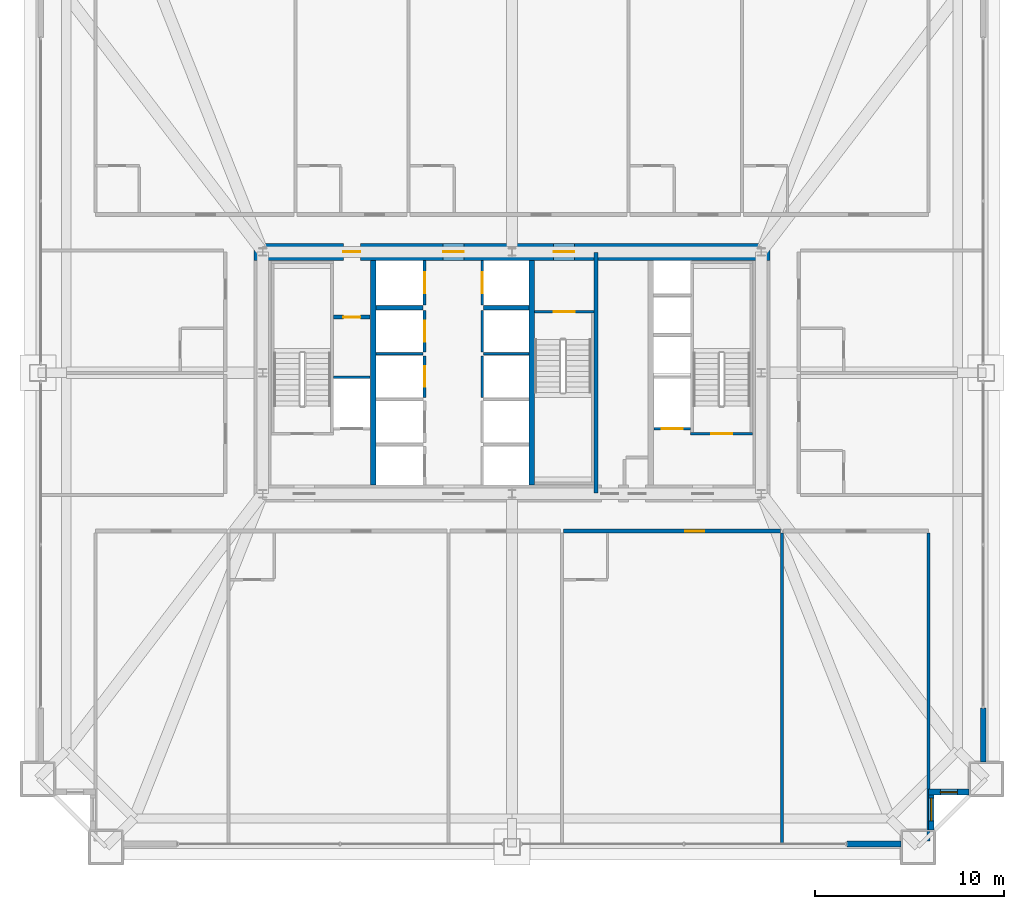
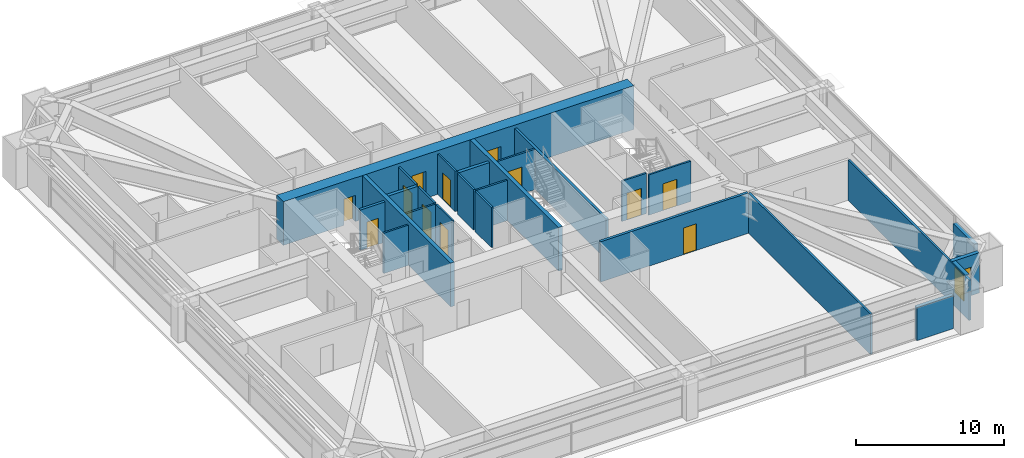
# One storey, part 41 of 44: 26 walls, 12 doors, 2 windows, 14 openings.
"""IFC4 building model written with IfcOpenShell, lengths in metres."""

from ifc_helpers import new_model, si_unit, direction, frame, frame_2d, origin, place, context, subcontext, project, spatial, rectangle, extrude, source, transform, mapped, material, layer, layer_set, type_object, element, fill, save


model = new_model("IFC4")

# Units and contexts
model_context = context("Model", 3, precision=1e-05, world=origin(), true_north=direction((0.0, 1.0)))
body_context = subcontext(model_context, "Body", "Model", "MODEL_VIEW")
ifc_project = project(units=[si_unit("LENGTHUNIT", "METRE"), si_unit("AREAUNIT", "SQUARE_METRE"), si_unit("VOLUMEUNIT", "CUBIC_METRE"), si_unit("PLANEANGLEUNIT", "RADIAN"), si_unit("MASSUNIT", "GRAM", prefix="KILO"), si_unit("THERMODYNAMICTEMPERATUREUNIT", "KELVIN"), si_unit("POWERUNIT", "WATT")], contexts=[model_context])

# Site, building, storey
site_placement = place(None, origin())
site = spatial("IfcSite", under=ifc_project, at=site_placement, CompositionType="ELEMENT")
building_placement = place(site_placement, origin())
building = spatial("IfcBuilding", under=site, at=building_placement, Name="Yuzanri Waterfront Tower", CompositionType="ELEMENT")
storey_placement = place(building_placement, frame((0.0, 0.0, 82.0)))
storey = spatial("IfcBuildingStorey", under=building, at=storey_placement, Name="L21", CompositionType="ELEMENT", Elevation=82.0)

# Wall, opening, window
ifc_material_1 = material(Name="Honed Chongqing Dark Basalt Stone", Category="masonry")
ifc_layer_1 = layer(ifc_material_1, 0.300048828125)
ifc_layer_set_1 = layer_set([ifc_layer_1], Name="Honed Chongqing Dark Basalt Stone")
wall_type_1 = type_object("IfcWallType", Name="Bronze Rainscreen Insulated Spandrel Portal Wall 300", PredefinedType="SOLIDWALL", material=ifc_layer_set_1)
wall_1_placement = place(storey_placement, frame((59.050048828125, 3.60009765625, 0.0), z_axis=(0.0, 0.0, 1.0), x_axis=(1.0, 0.0, 0.0)))
wall_1 = element("IfcWall", 1, at=wall_1_placement, inside=storey, type_object=wall_type_1, Name="L21 Notched Corner Masonry Wall SE-X", PredefinedType="SOLIDWALL", context=body_context, shape_type="SweptSolid", body=[
    extrude(rectangle(XDim=2.14990234375, YDim=0.300048828125, at=frame_2d((1.074951171875, 0.0))), origin(), (0.0, 0.0, 1.0), 3.320068359375),
])
opening_1_placement = place(wall_1_placement, frame((0.625, 0.0, 0.85009765625)))
opening_1 = element("IfcOpeningElement", 2, at=opening_1_placement, cuts=wall_1, Name="Opening WN-05", PredefinedType="OPENING", context=body_context, shape_type="SweptSolid", body=[
    extrude(rectangle(XDim=0.89990234375, YDim=1.5, at=frame_2d((0.449951171875, 0.75))), frame((0.0, 0.1650390625, 0.0), z_axis=(0.0, -1.0, 0.0), x_axis=(1.0, 0.0, 0.0)), (0.0, 0.0, 1.0), 0.329833984375),
])
ifc_material_2 = material(Name="Double-Silver Low-E Insulated Glass", Category="glass")
window_type_1 = type_object("IfcWindowType", Name="Anodized Bronze Service and Stairwell Smoke-Vent Window 900x1500", PartitioningType="SINGLE_PANEL", PredefinedType="WINDOW", material=ifc_material_2)
shared_shape_1 = source(origin(), body_context, "Body", "SweptSolid", [
    extrude(rectangle(XDim=0.89990234375, YDim=1.5, at=frame_2d((0.449951171875, 0.75))), frame((0.0, 0.030029296875, 0.0), z_axis=(0.0, -1.0, 0.0), x_axis=(1.0, 0.0, 0.0)), (0.0, 0.0, 1.0), 0.06005859375),
])
window_1_placement = place(opening_1_placement, origin())
window_1 = element("IfcWindow", 3, at=window_1_placement, inside=storey, type_object=window_type_1, Name="L21 Notched Corner Window SE-X", OverallHeight=1.5, OverallWidth=0.89990234375, PartitioningType="SINGLE_PANEL", PredefinedType="WINDOW", context=body_context, shape_type="MappedRepresentation", body=[
    mapped(shared_shape_1, transform((0.0, 0.0, 0.0), scale=1.0)),
])
fill(opening_1, window_1)

wall_2_placement = place(storey_placement, frame((59.199951171875, 1.60009765625, 0.0), z_axis=(0.0, 0.0, 1.0), x_axis=(0.0, 1.0, 0.0)))
wall_2 = element("IfcWall", 4, at=wall_2_placement, inside=storey, type_object=wall_type_1, Name="L21 Notched Corner Masonry Wall SE-Y", PredefinedType="SOLIDWALL", context=body_context, shape_type="SweptSolid", body=[
    extrude(rectangle(XDim=2.14990234375, YDim=0.300048828125, at=frame_2d((1.074951171875, 0.0))), origin(), (0.0, 0.0, 1.0), 3.320068359375),
])
opening_2_placement = place(wall_2_placement, frame((0.47509765625, 0.0, 0.85009765625)))
opening_2 = element("IfcOpeningElement", 5, at=opening_2_placement, cuts=wall_2, Name="Opening WN-02", PredefinedType="OPENING", context=body_context, shape_type="SweptSolid", body=[
    extrude(rectangle(XDim=1.199951171875, YDim=2.10009765625, at=frame_2d((0.60009765625, 1.050048828125))), frame((0.0, 0.1650390625, 0.0), z_axis=(0.0, -1.0, 0.0), x_axis=(1.0, 0.0, 0.0)), (0.0, 0.0, 1.0), 0.329833984375),
])
ifc_material_3 = material(Name="Double-Silver Low-E Insulated Glass", Category="glass")
window_type_2 = type_object("IfcWindowType", Name="Anodized Bronze Notched Corner Deep-Set Slot Window 1200x2100", PartitioningType="SINGLE_PANEL", PredefinedType="WINDOW", material=ifc_material_3)
shared_shape_2 = source(origin(), body_context, "Body", "SweptSolid", [
    extrude(rectangle(XDim=1.199951171875, YDim=2.10009765625, at=frame_2d((0.60009765625, 1.050048828125))), frame((0.0, 0.030029296875, 0.0), z_axis=(0.0, -1.0, 0.0), x_axis=(1.0, 0.0, 0.0)), (0.0, 0.0, 1.0), 0.06005859375),
])
window_2_placement = place(opening_2_placement, origin())
window_2 = element("IfcWindow", 6, at=window_2_placement, inside=storey, type_object=window_type_2, Name="L21 Notched Corner Window SE-Y", OverallHeight=2.10009765625, OverallWidth=1.199951171875, PartitioningType="SINGLE_PANEL", PredefinedType="WINDOW", context=body_context, shape_type="MappedRepresentation", body=[
    mapped(shared_shape_2, transform((0.0, 0.0, 0.0), scale=1.0)),
])
fill(opening_2, window_2)

# Wall, openings, doors
ifc_material_4 = material(Name="Concrete C60", Category="concrete")
ifc_layer_2 = layer(ifc_material_4, 0.89990234375)
ifc_layer_set_2 = layer_set([ifc_layer_2], Name="Concrete C60")
wall_type_2 = type_object("IfcWallType", Name="Concrete C60 Lower Zone Core Shear Wall 900", PredefinedType="SHEAR", material=ifc_layer_set_2)
wall_3_placement = place(storey_placement, frame((23.35009765625, 32.199951171875, 0.0), z_axis=(0.0, 0.0, 1.0), x_axis=(1.0, 0.0, 0.0)))
wall_3 = element("IfcWall", 7, at=wall_3_placement, inside=storey, type_object=wall_type_2, Name="L21 Core North Shear Wall", PredefinedType="SHEAR", context=body_context, shape_type="SweptSolid", body=[
    extrude(rectangle(XDim=27.2998046875, YDim=0.89990234375, at=frame_2d((13.64990234375, 0.0))), origin(), (0.0, 0.0, 1.0), 3.60009765625),
])
opening_3_placement = place(wall_3_placement, frame((4.719970703125, 0.0, 0.0)))
opening_3 = element("IfcOpeningElement", 8, at=opening_3_placement, cuts=wall_3, Name="Opening FD-0900", PredefinedType="OPENING", context=body_context, shape_type="SweptSolid", body=[
    extrude(rectangle(XDim=0.89990234375, YDim=2.14990234375, at=frame_2d((0.449951171875, 1.074951171875))), frame((0.0, 0.46484375, 0.0), z_axis=(0.0, -1.0, 0.0), x_axis=(1.0, 0.0, 0.0)), (0.0, 0.0, 1.0), 0.9296875),
])
opening_4_placement = place(wall_3_placement, frame((10.0, 0.0, 0.0)))
opening_4 = element("IfcOpeningElement", 9, at=opening_4_placement, cuts=wall_3, Name="Opening FD-1100", PredefinedType="OPENING", context=body_context, shape_type="SweptSolid", body=[
    extrude(rectangle(XDim=1.10009765625, YDim=2.199951171875, at=frame_2d((0.550048828125, 1.10009765625))), frame((0.0, 0.46484375, 0.0), z_axis=(0.0, -1.0, 0.0), x_axis=(1.0, 0.0, 0.0)), (0.0, 0.0, 1.0), 0.9296875),
])
opening_5_placement = place(wall_3_placement, frame((15.85009765625, 0.0, 0.0)))
opening_5 = element("IfcOpeningElement", 10, at=opening_5_placement, cuts=wall_3, Name="Opening FD-1100", PredefinedType="OPENING", context=body_context, shape_type="SweptSolid", body=[
    extrude(rectangle(XDim=1.10009765625, YDim=2.199951171875, at=frame_2d((0.550048828125, 1.10009765625))), frame((0.0, 0.46484375, 0.0), z_axis=(0.0, -1.0, 0.0), x_axis=(1.0, 0.0, 0.0)), (0.0, 0.0, 1.0), 0.9296875),
])
ifc_material_5 = material(Name="Painted Galvanized Fire Steel", Category="steel")
door_type_1 = type_object("IfcDoorType", Name="Smoke-Proof Stair and Lobby Fire Door 1100x2200", OperationType="NOTDEFINED", PredefinedType="DOOR", material=ifc_material_5)
shared_shape_3 = source(origin(), body_context, "Body", "SweptSolid", [
    extrude(rectangle(XDim=1.10009765625, YDim=2.199951171875, at=frame_2d((0.550048828125, 1.10009765625))), frame((0.0, 0.02490234375, 0.0), z_axis=(0.0, -1.0, 0.0), x_axis=(1.0, 0.0, 0.0)), (0.0, 0.0, 1.0), 0.050048828125),
])
door_1_placement = place(opening_4_placement, origin())
door_1 = element("IfcDoor", 11, at=door_1_placement, inside=storey, type_object=door_type_1, Name="L21 Central Lift Lobby North Door", OperationType="SINGLE_SWING_LEFT", OverallHeight=2.199951171875, OverallWidth=1.10009765625, PredefinedType="DOOR", context=body_context, shape_type="MappedRepresentation", body=[
    mapped(shared_shape_3, transform((0.0, 0.0, 0.0), scale=1.0)),
])
fill(opening_4, door_1)
door_2_placement = place(opening_5_placement, origin())
door_2 = element("IfcDoor", 12, at=door_2_placement, inside=storey, type_object=door_type_1, Name="L21 North Stair Lobby Door", OperationType="SINGLE_SWING_RIGHT", OverallHeight=2.199951171875, OverallWidth=1.10009765625, PredefinedType="DOOR", context=body_context, shape_type="MappedRepresentation", body=[
    mapped(shared_shape_3, transform((0.0, 0.0, 0.0), scale=1.0)),
])
fill(opening_5, door_2)
ifc_material_6 = material(Name="Painted Galvanized Fire Steel", Category="steel")
door_type_2 = type_object("IfcDoorType", Name="Riser and Service Room Fire Door 900x2150", OperationType="NOTDEFINED", PredefinedType="DOOR", material=ifc_material_6)
shared_shape_4 = source(origin(), body_context, "Body", "SweptSolid", [
    extrude(rectangle(XDim=0.89990234375, YDim=2.14990234375, at=frame_2d((0.449951171875, 1.074951171875))), frame((0.0, 0.02490234375, 0.0), z_axis=(0.0, -1.0, 0.0), x_axis=(1.0, 0.0, 0.0)), (0.0, 0.0, 1.0), 0.050048828125),
])
door_3_placement = place(opening_3_placement, origin())
door_3 = element("IfcDoor", 13, at=door_3_placement, inside=storey, type_object=door_type_2, Name="L21 Telecom Riser Door", OperationType="SINGLE_SWING_RIGHT", OverallHeight=2.14990234375, OverallWidth=0.89990234375, PredefinedType="DOOR", context=body_context, shape_type="MappedRepresentation", body=[
    mapped(shared_shape_4, transform((0.0, 0.0, 0.0), scale=1.0)),
])
fill(opening_3, door_3)

# Wall, opening, door
ifc_material_7 = material(Name="Concrete C40", Category="concrete")
ifc_layer_3 = layer(ifc_material_7, 0.139892578125)
ifc_layer_set_3 = layer_set([ifc_layer_3], Name="Concrete C40")
wall_type_3 = type_object("IfcWallType", Name="Core Stair Liner and Hoistway Shaft Wall 140", PredefinedType="SOLIDWALL", material=ifc_layer_set_3)
wall_4_placement = place(storey_placement, frame((44.52001953125, 22.830078125, 0.0), z_axis=(0.0, 0.0, 1.0), x_axis=(1.0, 0.0, 0.0)))
wall_4 = element("IfcWall", 14, at=wall_4_placement, inside=storey, type_object=wall_type_3, Name="L21 Lift FL-02 Front Shaft Wall", PredefinedType="SOLIDWALL", context=body_context, shape_type="SweptSolid", body=[
    extrude(rectangle(XDim=1.919921875, YDim=0.139892578125, at=frame_2d((0.9599609375, 0.0))), origin(), (0.0, 0.0, 1.0), 3.320068359375),
])
opening_6_placement = place(wall_4_placement, frame((0.409912109375, 0.0, 0.0)))
opening_6 = element("IfcOpeningElement", 15, at=opening_6_placement, cuts=wall_4, Name="Opening LD-FL-02", PredefinedType="OPENING", context=body_context, shape_type="SweptSolid", body=[
    extrude(rectangle(XDim=1.10009765625, YDim=2.199951171875, at=frame_2d((0.550048828125, 1.10009765625))), frame((0.0, 0.0849609375, 0.0), z_axis=(0.0, -1.0, 0.0), x_axis=(1.0, 0.0, 0.0)), (0.0, 0.0, 1.0), 0.169677734375),
])
ifc_material_8 = material(Name="Brushed Bronze and Stainless Steel Cab", Category="steel")
door_type_3 = type_object("IfcDoorType", Name="Center-Parting Bronze Lift Landing Sliding Door 1100x2200", OperationType="NOTDEFINED", PredefinedType="DOOR", material=ifc_material_8)
shared_shape_5 = source(origin(), body_context, "Body", "SweptSolid", [
    extrude(rectangle(XDim=1.10009765625, YDim=2.199951171875, at=frame_2d((0.550048828125, 1.10009765625))), frame((0.0, 0.02490234375, 0.0), z_axis=(0.0, -1.0, 0.0), x_axis=(1.0, 0.0, 0.0)), (0.0, 0.0, 1.0), 0.050048828125),
])
door_4_placement = place(opening_6_placement, origin())
door_4 = element("IfcDoor", 16, at=door_4_placement, inside=storey, type_object=door_type_3, Name="L21 FL-02 Lift Landing Sliding Door", OperationType="SLIDING_TO_RIGHT", OverallHeight=2.199951171875, OverallWidth=1.10009765625, PredefinedType="DOOR", context=body_context, shape_type="MappedRepresentation", body=[
    mapped(shared_shape_5, transform((0.0, 0.0, 0.0), scale=1.0)),
])
fill(opening_6, door_4)

wall_5_placement = place(storey_placement, frame((32.3701171875, 24.5, 0.0), z_axis=(0.0, 0.0, 1.0), x_axis=(0.0, 1.0, 0.0)))
wall_5 = element("IfcWall", 17, at=wall_5_placement, inside=storey, type_object=wall_type_3, Name="L21 Lift PL-03 Front Shaft Wall", PredefinedType="SOLIDWALL", context=body_context, shape_type="SweptSolid", body=[
    extrude(rectangle(XDim=2.199951171875, YDim=0.139892578125, at=frame_2d((1.10009765625, 0.0))), origin(), (0.0, 0.0, 1.0), 3.320068359375),
])
opening_7_placement = place(wall_5_placement, frame((0.550048828125, 0.0, 0.0)))
opening_7 = element("IfcOpeningElement", 18, at=opening_7_placement, cuts=wall_5, Name="Opening LD-PL-03", PredefinedType="OPENING", context=body_context, shape_type="SweptSolid", body=[
    extrude(rectangle(XDim=1.10009765625, YDim=2.199951171875, at=frame_2d((0.550048828125, 1.10009765625))), frame((0.0, 0.0849609375, 0.0), z_axis=(0.0, -1.0, 0.0), x_axis=(1.0, 0.0, 0.0)), (0.0, 0.0, 1.0), 0.169677734375),
])
door_5_placement = place(opening_7_placement, origin())
door_5 = element("IfcDoor", 19, at=door_5_placement, inside=storey, type_object=door_type_3, Name="L21 PL-03 Lift Landing Sliding Door", OperationType="SLIDING_TO_LEFT", OverallHeight=2.199951171875, OverallWidth=1.10009765625, PredefinedType="DOOR", context=body_context, shape_type="MappedRepresentation", body=[
    mapped(shared_shape_5, transform((0.0, 0.0, 0.0), scale=1.0)),
])
fill(opening_7, door_5)

wall_6_placement = place(storey_placement, frame((32.3701171875, 26.89990234375, 0.0), z_axis=(0.0, 0.0, 1.0), x_axis=(0.0, 1.0, 0.0)))
wall_6 = element("IfcWall", 20, at=wall_6_placement, inside=storey, type_object=wall_type_3, Name="L21 Lift PL-04 Front Shaft Wall", PredefinedType="SOLIDWALL", context=body_context, shape_type="SweptSolid", body=[
    extrude(rectangle(XDim=2.2001953125, YDim=0.139892578125, at=frame_2d((1.10009765625, 0.0))), origin(), (0.0, 0.0, 1.0), 3.320068359375),
])
opening_8_placement = place(wall_6_placement, frame((0.550048828125, 0.0, 0.0)))
opening_8 = element("IfcOpeningElement", 21, at=opening_8_placement, cuts=wall_6, Name="Opening LD-PL-04", PredefinedType="OPENING", context=body_context, shape_type="SweptSolid", body=[
    extrude(rectangle(XDim=1.10009765625, YDim=2.199951171875, at=frame_2d((0.550048828125, 1.10009765625))), frame((0.0, 0.0849609375, 0.0), z_axis=(0.0, -1.0, 0.0), x_axis=(1.0, 0.0, 0.0)), (0.0, 0.0, 1.0), 0.169677734375),
])
door_6_placement = place(opening_8_placement, origin())
door_6 = element("IfcDoor", 22, at=door_6_placement, inside=storey, type_object=door_type_3, Name="L21 PL-04 Lift Landing Sliding Door", OperationType="SLIDING_TO_RIGHT", OverallHeight=2.199951171875, OverallWidth=1.10009765625, PredefinedType="DOOR", context=body_context, shape_type="MappedRepresentation", body=[
    mapped(shared_shape_5, transform((0.0, 0.0, 0.0), scale=1.0)),
])
fill(opening_8, door_6)

wall_7_placement = place(storey_placement, frame((32.3701171875, 29.39990234375, 0.0), z_axis=(0.0, 0.0, 1.0), x_axis=(0.0, 1.0, 0.0)))
wall_7 = element("IfcWall", 23, at=wall_7_placement, inside=storey, type_object=wall_type_3, Name="L21 Lift SL-01 Front Shaft Wall", PredefinedType="SOLIDWALL", context=body_context, shape_type="SweptSolid", body=[
    extrude(rectangle(XDim=2.340087890625, YDim=0.139892578125, at=frame_2d((1.169921875, 0.0))), origin(), (0.0, 0.0, 1.0), 3.320068359375),
])
opening_9_placement = place(wall_7_placement, frame((0.6201171875, 0.0, 0.0)))
opening_9 = element("IfcOpeningElement", 24, at=opening_9_placement, cuts=wall_7, Name="Opening LD-SL-01", PredefinedType="OPENING", context=body_context, shape_type="SweptSolid", body=[
    extrude(rectangle(XDim=1.10009765625, YDim=2.199951171875, at=frame_2d((0.550048828125, 1.10009765625))), frame((0.0, 0.0849609375, 0.0), z_axis=(0.0, -1.0, 0.0), x_axis=(1.0, 0.0, 0.0)), (0.0, 0.0, 1.0), 0.169677734375),
])
door_7_placement = place(opening_9_placement, origin())
door_7 = element("IfcDoor", 25, at=door_7_placement, inside=storey, type_object=door_type_3, Name="L21 SL-01 Lift Landing Sliding Door", OperationType="SLIDING_TO_LEFT", OverallHeight=2.199951171875, OverallWidth=1.10009765625, PredefinedType="DOOR", context=body_context, shape_type="MappedRepresentation", body=[
    mapped(shared_shape_5, transform((0.0, 0.0, 0.0), scale=1.0)),
])
fill(opening_9, door_7)

wall_8_placement = place(storey_placement, frame((35.429931640625, 29.39990234375, 0.0), z_axis=(0.0, 0.0, 1.0), x_axis=(0.0, 1.0, 0.0)))
wall_8 = element("IfcWall", 26, at=wall_8_placement, inside=storey, type_object=wall_type_3, Name="L21 Lift SL-02 Front Shaft Wall", PredefinedType="SOLIDWALL", context=body_context, shape_type="SweptSolid", body=[
    extrude(rectangle(XDim=2.340087890625, YDim=0.139892578125, at=frame_2d((1.169921875, 0.0))), origin(), (0.0, 0.0, 1.0), 3.320068359375),
])
opening_10_placement = place(wall_8_placement, frame((0.6201171875, 0.0, 0.0)))
opening_10 = element("IfcOpeningElement", 27, at=opening_10_placement, cuts=wall_8, Name="Opening LD-SL-02", PredefinedType="OPENING", context=body_context, shape_type="SweptSolid", body=[
    extrude(rectangle(XDim=1.10009765625, YDim=2.199951171875, at=frame_2d((0.550048828125, 1.10009765625))), frame((0.0, 0.0849609375, 0.0), z_axis=(0.0, -1.0, 0.0), x_axis=(1.0, 0.0, 0.0)), (0.0, 0.0, 1.0), 0.169677734375),
])
door_8_placement = place(opening_10_placement, origin())
door_8 = element("IfcDoor", 28, at=door_8_placement, inside=storey, type_object=door_type_3, Name="L21 SL-02 Lift Landing Sliding Door", OperationType="SLIDING_TO_RIGHT", OverallHeight=2.199951171875, OverallWidth=1.10009765625, PredefinedType="DOOR", context=body_context, shape_type="MappedRepresentation", body=[
    mapped(shared_shape_5, transform((0.0, 0.0, 0.0), scale=1.0)),
])
fill(opening_10, door_8)

wall_9_placement = place(storey_placement, frame((46.4599609375, 22.570068359375, 0.0), z_axis=(0.0, 0.0, 1.0), x_axis=(1.0, 0.0, 0.0)))
wall_9 = element("IfcWall", 29, at=wall_9_placement, inside=storey, type_object=wall_type_3, Name="L21 Shaft Wall STW-L21-ST-02-S", PredefinedType="SOLIDWALL", context=body_context, shape_type="SweptSolid", body=[
    extrude(rectangle(XDim=3.280029296875, YDim=0.139892578125, at=frame_2d((1.64013671875, 0.0))), origin(), (0.0, 0.0, 1.0), 3.320068359375),
])
opening_11_placement = place(wall_9_placement, frame((1.090087890625, 0.0, 0.0)))
opening_11 = element("IfcOpeningElement", 30, at=opening_11_placement, cuts=wall_9, Name="Opening FD-1100", PredefinedType="OPENING", context=body_context, shape_type="SweptSolid", body=[
    extrude(rectangle(XDim=1.10009765625, YDim=2.199951171875, at=frame_2d((0.550048828125, 1.10009765625))), frame((0.0, 0.0849609375, 0.0), z_axis=(0.0, -1.0, 0.0), x_axis=(1.0, 0.0, 0.0)), (0.0, 0.0, 1.0), 0.169677734375),
])
door_9_placement = place(opening_11_placement, origin())
door_9 = element("IfcDoor", 31, at=door_9_placement, inside=storey, type_object=door_type_1, Name="L21 Stair ST-02 Fire Door", OperationType="SINGLE_SWING_LEFT", OverallHeight=2.199951171875, OverallWidth=1.10009765625, PredefinedType="DOOR", context=body_context, shape_type="MappedRepresentation", body=[
    mapped(shared_shape_3, transform((0.0, 0.0, 0.0), scale=1.0)),
])
fill(opening_11, door_9)

wall_10_placement = place(storey_placement, frame((38.199951171875, 29.030029296875, 0.0), z_axis=(0.0, 0.0, 1.0), x_axis=(1.0, 0.0, 0.0)))
wall_10 = element("IfcWall", 32, at=wall_10_placement, inside=storey, type_object=wall_type_3, Name="L21 Shaft Wall STW-L21-ST-03-N", PredefinedType="SOLIDWALL", context=body_context, shape_type="SweptSolid", body=[
    extrude(rectangle(XDim=3.14013671875, YDim=0.139892578125, at=frame_2d((1.570068359375, 0.0))), origin(), (0.0, 0.0, 1.0), 3.320068359375),
])
opening_12_placement = place(wall_10_placement, frame((1.02001953125, 0.0, 0.0)))
opening_12 = element("IfcOpeningElement", 33, at=opening_12_placement, cuts=wall_10, Name="Opening FD-1100", PredefinedType="OPENING", context=body_context, shape_type="SweptSolid", body=[
    extrude(rectangle(XDim=1.10009765625, YDim=2.199951171875, at=frame_2d((0.550048828125, 1.10009765625))), frame((0.0, 0.0849609375, 0.0), z_axis=(0.0, -1.0, 0.0), x_axis=(1.0, 0.0, 0.0)), (0.0, 0.0, 1.0), 0.169677734375),
])
door_10_placement = place(opening_12_placement, origin())
door_10 = element("IfcDoor", 34, at=door_10_placement, inside=storey, type_object=door_type_1, Name="L21 Stair ST-03 Fire Door", OperationType="SINGLE_SWING_RIGHT", OverallHeight=2.199951171875, OverallWidth=1.10009765625, PredefinedType="DOOR", context=body_context, shape_type="MappedRepresentation", body=[
    mapped(shared_shape_3, transform((0.0, 0.0, 0.0), scale=1.0)),
])
fill(opening_12, door_10)

ifc_material_9 = material(Name="Autoclaved Aerated Concrete Blockwork", Category="masonry")
ifc_layer_4 = layer(ifc_material_9, 0.199951171875)
ifc_layer_set_4 = layer_set([ifc_layer_4], Name="Autoclaved Aerated Concrete Blockwork")
wall_type_4 = type_object("IfcWallType", Name="Corridor and Unit Party Fire Wall 200", PredefinedType="PARTITIONING", material=ifc_layer_set_4)
wall_11_placement = place(storey_placement, frame((27.56005859375, 28.75, 0.0), z_axis=(0.0, 0.0, 1.0), x_axis=(1.0, 0.0, 0.0)))
wall_11 = element("IfcWall", 35, at=wall_11_placement, inside=storey, type_object=wall_type_4, Name="L21 Partition CRW-L21-ERTR", PredefinedType="PARTITIONING", context=body_context, shape_type="SweptSolid", body=[
    extrude(rectangle(XDim=1.919921875, YDim=0.199951171875, at=frame_2d((0.9599609375, 0.0))), origin(), (0.0, 0.0, 1.0), 3.320068359375),
])
opening_13_placement = place(wall_11_placement, frame((0.510009765625, 0.0, 0.0)))
opening_13 = element("IfcOpeningElement", 36, at=opening_13_placement, cuts=wall_11, Name="Opening FD-0900", PredefinedType="OPENING", context=body_context, shape_type="SweptSolid", body=[
    extrude(rectangle(XDim=0.89990234375, YDim=2.14990234375, at=frame_2d((0.449951171875, 1.074951171875))), frame((0.0, 0.11474609375, 0.0), z_axis=(0.0, -1.0, 0.0), x_axis=(1.0, 0.0, 0.0)), (0.0, 0.0, 1.0), 0.229736328125),
])
door_11_placement = place(opening_13_placement, origin())
door_11 = element("IfcDoor", 37, at=door_11_placement, inside=storey, type_object=door_type_2, Name="L21 Electrical Riser Door", OperationType="SINGLE_SWING_LEFT", OverallHeight=2.14990234375, OverallWidth=0.89990234375, PredefinedType="DOOR", context=body_context, shape_type="MappedRepresentation", body=[
    mapped(shared_shape_4, transform((0.0, 0.0, 0.0), scale=1.0)),
])
fill(opening_13, door_11)

wall_12_placement = place(storey_placement, frame((39.72705078125, 17.419921875, 0.0), z_axis=(0.0, 0.0, 1.0), x_axis=(1.0, 0.0, 0.0)))
wall_12 = element("IfcWall", 38, at=wall_12_placement, inside=storey, type_object=wall_type_4, Name="L21 Partition UW-L21-S4-CN", PredefinedType="PARTITIONING", context=body_context, shape_type="SweptSolid", body=[
    extrude(rectangle(XDim=11.488037109375, YDim=0.199951171875, at=frame_2d((5.744140625, 0.0))), origin(), (0.0, 0.0, 1.0), 3.320068359375),
])
opening_14_placement = place(wall_12_placement, frame((6.448974609375, 0.0, 0.0)))
opening_14 = element("IfcOpeningElement", 39, at=opening_14_placement, cuts=wall_12, Name="Opening FD-1000", PredefinedType="OPENING", context=body_context, shape_type="SweptSolid", body=[
    extrude(rectangle(XDim=1.0, YDim=2.199951171875, at=frame_2d((0.5, 1.10009765625))), frame((0.0, 0.11474609375, 0.0), z_axis=(0.0, -1.0, 0.0), x_axis=(1.0, 0.0, 0.0)), (0.0, 0.0, 1.0), 0.229736328125),
])
ifc_material_10 = material(Name="Engineered Oak Fire-Rated Timber", Category="wood")
door_type_4 = type_object("IfcDoorType", Name="Guestroom and Apartment Entrance Fire Door 1000x2200", OperationType="NOTDEFINED", PredefinedType="DOOR", material=ifc_material_10)
shared_shape_6 = source(origin(), body_context, "Body", "SweptSolid", [
    extrude(rectangle(XDim=1.0, YDim=2.199951171875, at=frame_2d((0.5, 1.10009765625))), frame((0.0, 0.02490234375, 0.0), z_axis=(0.0, -1.0, 0.0), x_axis=(1.0, 0.0, 0.0)), (0.0, 0.0, 1.0), 0.050048828125),
])
door_12_placement = place(opening_14_placement, origin())
door_12 = element("IfcDoor", 40, at=door_12_placement, inside=storey, type_object=door_type_4, Name="L21 Royal Riverfront Suite Entrance Door", OperationType="SINGLE_SWING_RIGHT", OverallHeight=2.199951171875, OverallWidth=1.0, PredefinedType="DOOR", context=body_context, shape_type="MappedRepresentation", body=[
    mapped(shared_shape_6, transform((0.0, 0.0, 0.0), scale=1.0)),
])
fill(opening_14, door_12)

# Walls
ifc_material_11 = material(Name="Concrete C50", Category="concrete")
ifc_layer_5 = layer(ifc_material_11, 0.300048828125)
ifc_layer_set_5 = layer_set([ifc_layer_5], Name="Concrete C50")
wall_type_5 = type_object("IfcWallType", Name="Concrete C50 Internal Core Shaft Structural Wall 300", PredefinedType="SOLIDWALL", material=ifc_layer_set_5)
shared_shape_7 = source(origin(), body_context, "Body", "SweptSolid", [
    extrude(rectangle(XDim=11.89990234375, YDim=0.300048828125, at=frame_2d((5.949951171875, 0.0))), origin(), (0.0, 0.0, 1.0), 3.60009765625),
])
for number, where, z_axis, x_axis, name in (
    (41, (29.64990234375, 19.85009765625, 0.0), (0.0, 0.0, 1.0), (0.0, 1.0, 0.0), "L21 Core Internal Structural Web Wall 1"),
    (42, (38.050048828125, 19.85009765625, 0.0), (0.0, 0.0, 1.0), (0.0, 1.0, 0.0), "L21 Core Internal Structural Web Wall 2"),
):
    element("IfcWall", number, at=place(storey_placement, frame(where, z_axis=z_axis, x_axis=x_axis)), inside=storey, type_object=wall_type_5, Name=name, PredefinedType="SOLIDWALL", context=body_context, shape_type="MappedRepresentation", body=[
        mapped(shared_shape_7, transform((0.0, 0.0, 0.0), scale=1.0)),
    ])
shared_shape_8 = source(origin(), body_context, "Body", "SweptSolid", [
    extrude(rectangle(XDim=2.85009765625, YDim=0.300048828125, at=frame_2d((1.425048828125, 0.0))), origin(), (0.0, 0.0, 1.0), 2.715087890625),
])
for number, where, z_axis, x_axis, name in (
    (43, (54.75, 0.85009765625, 0.0), (0.0, 0.0, 1.0), (1.0, 0.0, 0.0), "L21 S Right Braced Masonry Shoulder"),
    (44, (61.949951171875, 5.199951171875, 0.0), (0.0, 0.0, 1.0), (0.0, 1.0, 0.0), "L21 E Left Braced Masonry Shoulder"),
):
    element("IfcWall", number, at=place(storey_placement, frame(where, z_axis=z_axis, x_axis=x_axis)), inside=storey, type_object=wall_type_1, Name=name, PredefinedType="SOLIDWALL", context=body_context, shape_type="MappedRepresentation", body=[
        mapped(shared_shape_8, transform((0.0, 0.0, 0.0), scale=1.0)),
    ])
shared_shape_9 = source(origin(), body_context, "Body", "SweptSolid", [
    extrude(rectangle(XDim=1.919921875, YDim=0.139892578125, at=frame_2d((0.9599609375, 0.0))), origin(), (0.0, 0.0, 1.0), 3.320068359375),
])
wall_13_placement = place(storey_placement, frame((27.56005859375, 25.570068359375, 0.0), z_axis=(0.0, 0.0, 1.0), x_axis=(1.0, 0.0, 0.0)))
element("IfcWall", 45, at=wall_13_placement, inside=storey, type_object=wall_type_3, Name="L21 Lift FL-01 Back Shaft Wall", PredefinedType="SOLIDWALL", context=body_context, shape_type="MappedRepresentation", body=[
    mapped(shared_shape_9, transform((0.0, 0.0, 0.0), scale=1.0)),
])
shared_shape_10 = source(origin(), body_context, "Body", "SweptSolid", [
    extrude(rectangle(XDim=2.5, YDim=0.139892578125, at=frame_2d((1.25, 0.0))), origin(), (0.0, 0.0, 1.0), 3.320068359375),
])
wall_14_placement = place(storey_placement, frame((29.800048828125, 26.800048828125, 0.0), z_axis=(0.0, 0.0, 1.0), x_axis=(1.0, 0.0, 0.0)))
element("IfcWall", 46, at=wall_14_placement, inside=storey, type_object=wall_type_3, Name="L21 Lift PL-03 Divider Wall", PredefinedType="SOLIDWALL", context=body_context, shape_type="MappedRepresentation", body=[
    mapped(shared_shape_10, transform((0.0, 0.0, 0.0), scale=1.0)),
])
ifc_material_12 = material(Name="Concrete C40", Category="concrete")
ifc_layer_6 = layer(ifc_material_12, 0.25)
ifc_layer_set_6 = layer_set([ifc_layer_6], Name="Concrete C40")
wall_type_6 = type_object("IfcWallType", Name="Smoke-Proof Stair and Lift Shaft Wall 250", PredefinedType="SOLIDWALL", material=ifc_layer_set_6)
shared_shape_11 = source(origin(), body_context, "Body", "SweptSolid", [
    extrude(rectangle(XDim=2.5, YDim=0.25, at=frame_2d((1.25, 0.0))), origin(), (0.0, 0.0, 1.0), 3.320068359375),
])
wall_15_placement = place(storey_placement, frame((29.800048828125, 29.25, 0.0), z_axis=(0.0, 0.0, 1.0), x_axis=(1.0, 0.0, 0.0)))
element("IfcWall", 47, at=wall_15_placement, inside=storey, type_object=wall_type_6, Name="L21 Lift SL-01 South Shaft Wall", PredefinedType="SOLIDWALL", context=body_context, shape_type="MappedRepresentation", body=[
    mapped(shared_shape_11, transform((0.0, 0.0, 0.0), scale=1.0)),
])
shared_shape_12 = source(origin(), body_context, "Body", "SweptSolid", [
    extrude(rectangle(XDim=2.39990234375, YDim=0.139892578125, at=frame_2d((1.199951171875, 0.0))), origin(), (0.0, 0.0, 1.0), 3.320068359375),
])
wall_16_placement = place(storey_placement, frame((35.5, 26.800048828125, 0.0), z_axis=(0.0, 0.0, 1.0), x_axis=(1.0, 0.0, 0.0)))
element("IfcWall", 48, at=wall_16_placement, inside=storey, type_object=wall_type_3, Name="L21 Lift PL-07 Divider Wall", PredefinedType="SOLIDWALL", context=body_context, shape_type="MappedRepresentation", body=[
    mapped(shared_shape_12, transform((0.0, 0.0, 0.0), scale=1.0)),
])
shared_shape_13 = source(origin(), body_context, "Body", "SweptSolid", [
    extrude(rectangle(XDim=2.199951171875, YDim=0.139892578125, at=frame_2d((1.10009765625, 0.0))), origin(), (0.0, 0.0, 1.0), 3.320068359375),
])
wall_17_placement = place(storey_placement, frame((35.429931640625, 24.5, 0.0), z_axis=(0.0, 0.0, 1.0), x_axis=(0.0, 1.0, 0.0)))
element("IfcWall", 49, at=wall_17_placement, inside=storey, type_object=wall_type_3, Name="L21 Lift PL-07 Front Shaft Wall", PredefinedType="SOLIDWALL", context=body_context, shape_type="MappedRepresentation", body=[
    mapped(shared_shape_13, transform((0.0, 0.0, 0.0), scale=1.0)),
])
shared_shape_14 = source(origin(), body_context, "Body", "SweptSolid", [
    extrude(rectangle(XDim=2.2001953125, YDim=0.139892578125, at=frame_2d((1.10009765625, 0.0))), origin(), (0.0, 0.0, 1.0), 3.320068359375),
])
wall_18_placement = place(storey_placement, frame((35.429931640625, 26.89990234375, 0.0), z_axis=(0.0, 0.0, 1.0), x_axis=(0.0, 1.0, 0.0)))
element("IfcWall", 50, at=wall_18_placement, inside=storey, type_object=wall_type_3, Name="L21 Lift PL-08 Front Shaft Wall", PredefinedType="SOLIDWALL", context=body_context, shape_type="MappedRepresentation", body=[
    mapped(shared_shape_14, transform((0.0, 0.0, 0.0), scale=1.0)),
])
shared_shape_15 = source(origin(), body_context, "Body", "SweptSolid", [
    extrude(rectangle(XDim=2.39990234375, YDim=0.25, at=frame_2d((1.199951171875, 0.0))), origin(), (0.0, 0.0, 1.0), 3.320068359375),
])
wall_19_placement = place(storey_placement, frame((35.5, 29.25, 0.0), z_axis=(0.0, 0.0, 1.0), x_axis=(1.0, 0.0, 0.0)))
element("IfcWall", 51, at=wall_19_placement, inside=storey, type_object=wall_type_6, Name="L21 Lift SL-02 South Shaft Wall", PredefinedType="SOLIDWALL", context=body_context, shape_type="MappedRepresentation", body=[
    mapped(shared_shape_15, transform((0.0, 0.0, 0.0), scale=1.0)),
])
shared_shape_16 = source(origin(), body_context, "Body", "SweptSolid", [
    extrude(rectangle(XDim=12.719970703125, YDim=0.199951171875, at=frame_2d((6.35986328125, 0.0))), origin(), (0.0, 0.0, 1.0), 3.320068359375),
])
wall_20_placement = place(storey_placement, frame((41.449951171875, 19.43994140625, 0.0), z_axis=(0.0, 0.0, 1.0), x_axis=(0.0, 1.0, 0.0)))
element("IfcWall", 52, at=wall_20_placement, inside=storey, type_object=wall_type_4, Name="L21 Core BOH West Wall 1", PredefinedType="PARTITIONING", context=body_context, shape_type="MappedRepresentation", body=[
    mapped(shared_shape_16, transform((0.0, 0.0, 0.0), scale=1.0)),
])
ifc_material_13 = material(Name="Gypsum Fireboard Acoustic Stud Wall", Category="gypsum")
ifc_layer_7 = layer(ifc_material_13, 0.159912109375)
ifc_layer_set_7 = layer_set([ifc_layer_7], Name="Gypsum Fireboard Acoustic Stud Wall")
wall_type_7 = type_object("IfcWallType", Name="Acoustic Suite Demising Partition 160", PredefinedType="PARTITIONING", material=ifc_layer_set_7)
shared_shape_17 = source(origin(), body_context, "Body", "SweptSolid", [
    extrude(rectangle(XDim=16.469970703125, YDim=0.159912109375, at=frame_2d((8.23486328125, 0.0))), origin(), (0.0, 0.0, 1.0), 3.320068359375),
])
wall_21_placement = place(storey_placement, frame((51.294921875, 0.85009765625, 0.0), z_axis=(0.0, 0.0, 1.0), x_axis=(0.0, 1.0, 0.0)))
element("IfcWall", 53, at=wall_21_placement, inside=storey, type_object=wall_type_7, Name="L21-S4 Party Wall", PredefinedType="PARTITIONING", context=body_context, shape_type="MappedRepresentation", body=[
    mapped(shared_shape_17, transform((0.0, 0.0, 0.0), scale=1.0)),
])
shared_shape_18 = source(origin(), body_context, "Body", "SweptSolid", [
    extrude(rectangle(XDim=16.320068359375, YDim=0.159912109375, at=frame_2d((8.16015625, 0.0))), origin(), (0.0, 0.0, 1.0), 3.320068359375),
])
wall_22_placement = place(storey_placement, frame((59.050048828125, 1.0, 0.0), z_axis=(0.0, 0.0, 1.0), x_axis=(0.0, 1.0, 0.0)))
element("IfcWall", 54, at=wall_22_placement, inside=storey, type_object=wall_type_7, Name="L21 South Band East End Wall", PredefinedType="PARTITIONING", context=body_context, shape_type="MappedRepresentation", body=[
    mapped(shared_shape_18, transform((0.0, 0.0, 0.0), scale=1.0)),
])

save(model, "model.ifc")
